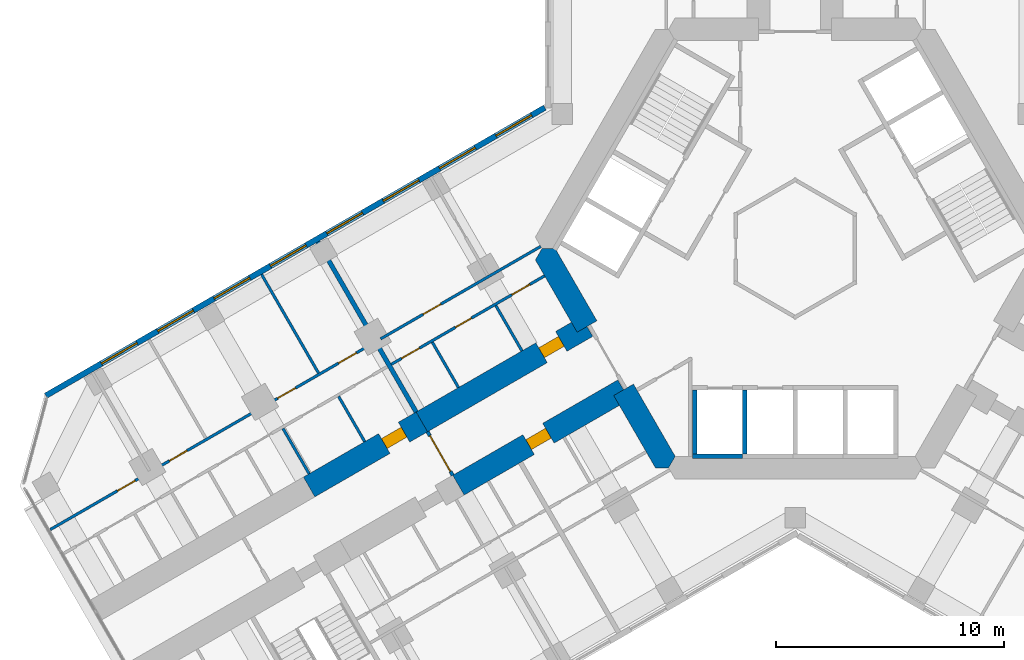
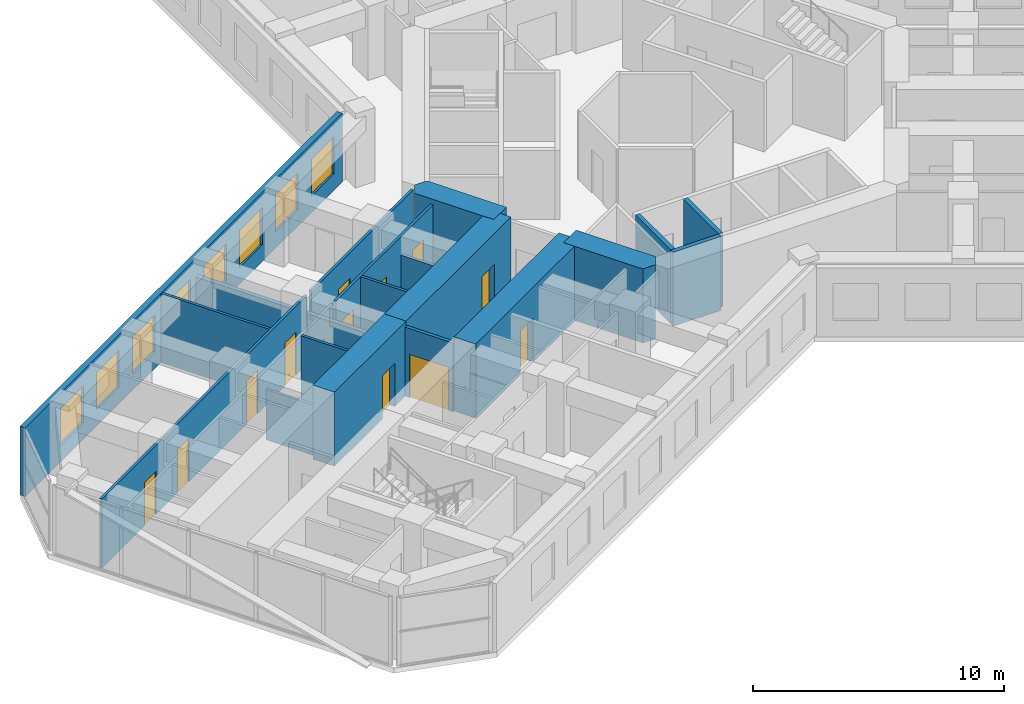
# One storey, part 12 of 21: 19 walls, 12 doors, 8 windows, 20 openings.
"""IFC4 building model written with IfcOpenShell, lengths in metres."""

from ifc_helpers import new_model, si_unit, direction, frame, frame_2d, origin, place, context, subcontext, project, spatial, polyline, rectangle, outline, extrude, material, layer, layer_set, type_object, element, fill, save


model = new_model("IFC4")

# Units and contexts
model_context = context("Model", 3, precision=1e-05, world=origin(), true_north=direction((0.0, 1.0)))
body_context = subcontext(model_context, "Body", "Model", "MODEL_VIEW")
ifc_project = project(units=[si_unit("LENGTHUNIT", "METRE"), si_unit("AREAUNIT", "SQUARE_METRE"), si_unit("VOLUMEUNIT", "CUBIC_METRE"), si_unit("PLANEANGLEUNIT", "RADIAN"), si_unit("MASSUNIT", "GRAM", prefix="KILO")], contexts=[model_context])

# Site, building, storey
site_placement = place(None, origin())
site = spatial("IfcSite", under=ifc_project, at=site_placement, CompositionType="ELEMENT")
building_placement = place(site_placement, origin())
building = spatial("IfcBuilding", under=site, at=building_placement, Name="Kosmar Iwan School Tower", CompositionType="ELEMENT")
storey_placement = place(building_placement, frame((0.0, 0.0, 102.39990234375)))
storey = spatial("IfcBuildingStorey", under=building, at=storey_placement, Name="L25", CompositionType="ELEMENT", Elevation=102.39990234375)

# Walls
ifc_material_1 = material(Name="Concrete C50/60", Category="concrete")
ifc_layer_1 = layer(ifc_material_1, 1.0)
ifc_layer_set_1 = layer_set([ifc_layer_1], Name="Core wall 1000")
wall_type_1 = type_object("IfcWallType", Name="Core wall 1000", PredefinedType="SHEAR", material=ifc_layer_set_1)
wall_1_placement = place(storey_placement, origin())
element("IfcWall", 1, at=wall_1_placement, inside=storey, type_object=wall_type_1, Name="Core wall F210a", PredefinedType="SHEAR", context=body_context, shape_type="SweptSolid", body=[
    extrude(outline(polyline([(-9.546875, -3.664306640625), (-8.680908203125, -3.164306640625), (-10.5078125, 0.0), (-11.085205078125, 0.0), (-11.373779296875, -0.5), (-9.546875, -3.664306640625)])), origin(), (0.0, 0.0, 1.0), 3.60009765625),
])
wall_2_placement = place(storey_placement, origin())
element("IfcWall", 2, at=wall_2_placement, inside=storey, type_object=wall_type_1, Name="Core wall F210b", PredefinedType="SHEAR", context=body_context, shape_type="SweptSolid", body=[
    extrude(outline(polyline([(-6.119873046875, -9.60009765625), (-5.54248046875, -9.60009765625), (-5.25390625, -9.10009765625), (-7.080810546875, -5.935546875), (-7.94677734375, -6.435546875), (-6.119873046875, -9.60009765625)])), origin(), (0.0, 0.0, 1.0), 3.60009765625),
])

# Wall, opening, door
ifc_material_2 = material(Name="Concrete C50/60", Category="concrete")
ifc_layer_2 = layer(ifc_material_2, 1.0)
ifc_layer_set_2 = layer_set([ifc_layer_2], Name="Corridor buttress wall 1000")
wall_type_2 = type_object("IfcWallType", Name="Corridor buttress wall 1000", PredefinedType="SHEAR", material=ifc_layer_set_2)
wall_3_placement = place(storey_placement, frame((-7.513916015625, -6.185546875, 0.0), z_axis=(0.0, 0.0, 1.0), x_axis=(-0.866019549707, -0.500010139422, 0.0)))
wall_3 = element("IfcWall", 3, at=wall_3_placement, inside=storey, type_object=wall_type_2, Name="Corridor wall BL", PredefinedType="SHEAR", context=body_context, shape_type="SweptSolid", body=[
    extrude(rectangle(XDim=8.349853515625, YDim=1.0, at=frame_2d((4.1748046875, 0.0))), origin(), (0.0, 0.0, 1.0), 3.60009765625),
])
opening_1_placement = place(wall_3_placement, frame((3.800048828125, 0.0, 0.0)))
opening_1 = element("IfcOpeningElement", 4, at=opening_1_placement, cuts=wall_3, Name="Opening D1", PredefinedType="OPENING", context=body_context, shape_type="SweptSolid", body=[
    extrude(rectangle(XDim=1.0, YDim=2.10009765625, at=frame_2d((0.5, 1.050048828125))), frame((0.0, 0.511962890625, 0.0), z_axis=(0.0, -1.0, 0.0), x_axis=(1.0, 0.0, 0.0)), (0.0, 0.0, 1.0), 1.02392578125),
])
ifc_material_3 = material(Name="Timber fire door in steel frame", Category="steel")
door_type_1 = type_object("IfcDoorType", Name="Flat entrance door 1000x2100", OperationType="SINGLE_SWING_LEFT", PredefinedType="DOOR", material=ifc_material_3)
door_1_placement = place(opening_1_placement, origin())
door_1 = element("IfcDoor", 5, at=door_1_placement, inside=storey, type_object=door_type_1, Name="Flat L25-BL1 entrance door", OperationType="SINGLE_SWING_LEFT", OverallHeight=2.10009765625, OverallWidth=1.0, PredefinedType="DOOR", context=body_context, shape_type="SweptSolid", body=[
    extrude(rectangle(XDim=1.0, YDim=2.10009765625, at=frame_2d((0.5, 1.050048828125))), frame((0.0, 0.25, 0.0), z_axis=(0.0, -1.0, 0.0), x_axis=(1.0, 0.0, 0.0)), (0.0, 0.0, 1.0), 0.5),
])
fill(opening_1, door_1)

wall_4_placement = place(storey_placement, frame((-9.11376953125, -3.414306640625, 0.0), z_axis=(0.0, 0.0, 1.0), x_axis=(-0.866026859388, -0.499997478812, 0.0)))
wall_4 = element("IfcWall", 6, at=wall_4_placement, inside=storey, type_object=wall_type_2, Name="Corridor wall BR", PredefinedType="SHEAR", context=body_context, shape_type="SweptSolid", body=[
    extrude(rectangle(XDim=8.35009765625, YDim=1.0, at=frame_2d((4.175048828125, 0.0))), origin(), (0.0, 0.0, 1.0), 3.60009765625),
])
opening_2_placement = place(wall_4_placement, frame((1.300048828125, 0.0, 0.0)))
opening_2 = element("IfcOpeningElement", 7, at=opening_2_placement, cuts=wall_4, Name="Opening D1", PredefinedType="OPENING", context=body_context, shape_type="SweptSolid", body=[
    extrude(rectangle(XDim=1.0, YDim=2.10009765625, at=frame_2d((0.5, 1.050048828125))), frame((0.0, 0.511962890625, 0.0), z_axis=(0.0, -1.0, 0.0), x_axis=(1.0, 0.0, 0.0)), (0.0, 0.0, 1.0), 1.02392578125),
])
door_2_placement = place(opening_2_placement, origin())
door_2 = element("IfcDoor", 8, at=door_2_placement, inside=storey, type_object=door_type_1, Name="Flat L25-BR1 entrance door", OperationType="SINGLE_SWING_LEFT", OverallHeight=2.10009765625, OverallWidth=1.0, PredefinedType="DOOR", context=body_context, shape_type="SweptSolid", body=[
    extrude(rectangle(XDim=1.0, YDim=2.10009765625, at=frame_2d((0.5, 1.050048828125))), frame((0.0, 0.25, 0.0), z_axis=(0.0, -1.0, 0.0), x_axis=(1.0, 0.0, 0.0)), (0.0, 0.0, 1.0), 0.5),
])
fill(opening_2, door_2)

wall_5_placement = place(storey_placement, frame((-16.34521484375, -7.58935546875, 0.0), z_axis=(0.0, 0.0, 1.0), x_axis=(-0.866015111908, -0.50001782563, 0.0)))
wall_5 = element("IfcWall", 9, at=wall_5_placement, inside=storey, type_object=wall_type_2, Name="Corridor wall BR bay 2", PredefinedType="SHEAR", context=body_context, shape_type="SweptSolid", body=[
    extrude(rectangle(XDim=5.699951171875, YDim=1.0, at=frame_2d((2.85009765625, 0.0))), origin(), (0.0, 0.0, 1.0), 3.60009765625),
])
opening_3_placement = place(wall_5_placement, frame((0.89990234375, 0.0, 0.0)))
opening_3 = element("IfcOpeningElement", 10, at=opening_3_placement, cuts=wall_5, Name="Opening D1", PredefinedType="OPENING", context=body_context, shape_type="SweptSolid", body=[
    extrude(rectangle(XDim=1.0, YDim=2.10009765625, at=frame_2d((0.5, 1.050048828125))), frame((0.0, 0.511962890625, 0.0), z_axis=(0.0, -1.0, 0.0), x_axis=(1.0, 0.0, 0.0)), (0.0, 0.0, 1.0), 1.02392578125),
])
door_3_placement = place(opening_3_placement, origin())
door_3 = element("IfcDoor", 11, at=door_3_placement, inside=storey, type_object=door_type_1, Name="Flat L25-BR2 entrance door", OperationType="SINGLE_SWING_LEFT", OverallHeight=2.10009765625, OverallWidth=1.0, PredefinedType="DOOR", context=body_context, shape_type="SweptSolid", body=[
    extrude(rectangle(XDim=1.0, YDim=2.10009765625, at=frame_2d((0.5, 1.050048828125))), frame((0.0, 0.25, 0.0), z_axis=(0.0, -1.0, 0.0), x_axis=(1.0, 0.0, 0.0)), (0.0, 0.0, 1.0), 0.5),
])
fill(opening_3, door_3)

ifc_material_4 = material(Name="Gypsum board on steel studs, fire-rated", Category="steel")
ifc_layer_3 = layer(ifc_material_4, 0.14990234375)
ifc_layer_set_3 = layer_set([ifc_layer_3], Name="Corridor end wall 150")
wall_type_3 = type_object("IfcWallType", Name="Corridor end wall 150", PredefinedType="PARTITIONING", material=ifc_layer_set_3)
wall_6_placement = place(storey_placement, frame((-16.09521484375, -8.0224609375, 0.0), z_axis=(0.0, 0.0, 1.0), x_axis=(0.50002983664, -0.866008176907, 0.0)))
wall_6 = element("IfcWall", 12, at=wall_6_placement, inside=storey, type_object=wall_type_3, Name="Partition L25-B-HW", PredefinedType="PARTITIONING", context=body_context, shape_type="SweptSolid", body=[
    extrude(rectangle(XDim=2.199951171875, YDim=0.14990234375, at=frame_2d((1.10009765625, 0.0))), origin(), (0.0, 0.0, 1.0), 3.35009765625),
])
opening_4_placement = place(wall_6_placement, frame((0.199951171875, 0.0, 0.0)))
opening_4 = element("IfcOpeningElement", 13, at=opening_4_placement, cuts=wall_6, Name="Opening D9", PredefinedType="OPENING", context=body_context, shape_type="SweptSolid", body=[
    extrude(rectangle(XDim=1.800048828125, YDim=2.10009765625, at=frame_2d((0.89990234375, 1.050048828125))), frame((0.0, 0.0869140625, 0.0), z_axis=(0.0, -1.0, 0.0), x_axis=(1.0, 0.0, 0.0)), (0.0, 0.0, 1.0), 0.173828125),
])
ifc_material_5 = material(Name="Steel framed glazed smoke door", Category="steel")
door_type_2 = type_object("IfcDoorType", Name="Corridor smoke door pair 1800x2100", OperationType="DOUBLE_DOOR_DOUBLE_SWING", PredefinedType="DOOR", material=ifc_material_5)
door_4_placement = place(opening_4_placement, origin())
door_4 = element("IfcDoor", 14, at=door_4_placement, inside=storey, type_object=door_type_2, Name="Entrance vestibule smoke doors L25-B", OperationType="DOUBLE_DOOR_DOUBLE_SWING", OverallHeight=2.10009765625, OverallWidth=1.800048828125, PredefinedType="DOOR", context=body_context, shape_type="SweptSolid", body=[
    extrude(rectangle(XDim=1.800048828125, YDim=2.10009765625, at=frame_2d((0.89990234375, 1.050048828125))), frame((0.0, 0.02490234375, 0.0), z_axis=(0.0, -1.0, 0.0), x_axis=(1.0, 0.0, 0.0)), (0.0, 0.0, 1.0), 0.050048828125),
])
fill(opening_4, door_4)

# Wall, openings, doors
ifc_material_6 = material(Name="Gypsum board on steel studs", Category="steel")
ifc_layer_4 = layer(ifc_material_6, 0.1201171875)
ifc_layer_set_4 = layer_set([ifc_layer_4], Name="Dwelling partition 120")
wall_type_4 = type_object("IfcWallType", Name="Dwelling partition 120", PredefinedType="PARTITIONING", material=ifc_layer_set_4)
wall_7_placement = place(storey_placement, frame((-10.971923828125, -1.1962890625, 0.0), z_axis=(0.0, 0.0, 1.0), x_axis=(-0.866024534185, -0.500001506187, 0.0)))
wall_7 = element("IfcWall", 15, at=wall_7_placement, inside=storey, type_object=wall_type_4, Name="Partition L25-BR1-W1", PredefinedType="PARTITIONING", context=body_context, shape_type="SweptSolid", body=[
    extrude(rectangle(XDim=7.75, YDim=0.1201171875, at=frame_2d((3.875, 0.0))), origin(), (0.0, 0.0, 1.0), 3.35009765625),
])
opening_5_placement = place(wall_7_placement, frame((0.75, 0.0, 0.0)))
opening_5 = element("IfcOpeningElement", 16, at=opening_5_placement, cuts=wall_7, Name="Opening D2", PredefinedType="OPENING", context=body_context, shape_type="SweptSolid", body=[
    extrude(rectangle(XDim=0.89990234375, YDim=2.10009765625, at=frame_2d((0.449951171875, 1.050048828125))), frame((0.0, 0.072021484375, 0.0), z_axis=(0.0, -1.0, 0.0), x_axis=(1.0, 0.0, 0.0)), (0.0, 0.0, 1.0), 0.14404296875),
])
opening_6_placement = place(wall_7_placement, frame((3.705078125, 0.0, 0.0)))
opening_6 = element("IfcOpeningElement", 17, at=opening_6_placement, cuts=wall_7, Name="Opening D3", PredefinedType="OPENING", context=body_context, shape_type="SweptSolid", body=[
    extrude(rectangle(XDim=0.800048828125, YDim=2.10009765625, at=frame_2d((0.39990234375, 1.050048828125))), frame((0.0, 0.072021484375, 0.0), z_axis=(0.0, -1.0, 0.0), x_axis=(1.0, 0.0, 0.0)), (0.0, 0.0, 1.0), 0.14404296875),
])
opening_7_placement = place(wall_7_placement, frame((6.330078125, 0.0, 0.0)))
opening_7 = element("IfcOpeningElement", 18, at=opening_7_placement, cuts=wall_7, Name="Opening D2", PredefinedType="OPENING", context=body_context, shape_type="SweptSolid", body=[
    extrude(rectangle(XDim=0.89990234375, YDim=2.10009765625, at=frame_2d((0.449951171875, 1.050048828125))), frame((0.0, 0.072021484375, 0.0), z_axis=(0.0, -1.0, 0.0), x_axis=(1.0, 0.0, 0.0)), (0.0, 0.0, 1.0), 0.14404296875),
])
ifc_material_7 = material(Name="Timber door in timber frame", Category="wood")
door_type_3 = type_object("IfcDoorType", Name="Internal door 900x2100", OperationType="SINGLE_SWING_LEFT", PredefinedType="DOOR", material=ifc_material_7)
door_5_placement = place(opening_5_placement, origin())
door_5 = element("IfcDoor", 19, at=door_5_placement, inside=storey, type_object=door_type_3, Name="Entrance hall door L25-BR1-S1", OperationType="SINGLE_SWING_LEFT", OverallHeight=2.10009765625, OverallWidth=0.89990234375, PredefinedType="DOOR", context=body_context, shape_type="SweptSolid", body=[
    extrude(rectangle(XDim=0.89990234375, YDim=2.10009765625, at=frame_2d((0.449951171875, 1.050048828125))), frame((0.0, 0.02490234375, 0.0), z_axis=(0.0, -1.0, 0.0), x_axis=(1.0, 0.0, 0.0)), (0.0, 0.0, 1.0), 0.050048828125),
])
fill(opening_5, door_5)
door_6_placement = place(opening_7_placement, origin())
door_6 = element("IfcDoor", 20, at=door_6_placement, inside=storey, type_object=door_type_3, Name="Pantry door L25-BR1-S3", OperationType="SINGLE_SWING_RIGHT", OverallHeight=2.10009765625, OverallWidth=0.89990234375, PredefinedType="DOOR", context=body_context, shape_type="SweptSolid", body=[
    extrude(rectangle(XDim=0.89990234375, YDim=2.10009765625, at=frame_2d((0.449951171875, 1.050048828125))), frame((0.0, 0.02490234375, 0.0), z_axis=(0.0, -1.0, 0.0), x_axis=(1.0, 0.0, 0.0)), (0.0, 0.0, 1.0), 0.050048828125),
])
fill(opening_7, door_6)
ifc_material_8 = material(Name="Timber door in timber frame", Category="wood")
door_type_4 = type_object("IfcDoorType", Name="Sanitary room door 800x2100", OperationType="SINGLE_SWING_LEFT", PredefinedType="DOOR", material=ifc_material_8)
door_7_placement = place(opening_6_placement, origin())
door_7 = element("IfcDoor", 21, at=door_7_placement, inside=storey, type_object=door_type_4, Name="Bathroom door L25-BR1-S2", OperationType="SINGLE_SWING_RIGHT", OverallHeight=2.10009765625, OverallWidth=0.800048828125, PredefinedType="DOOR", context=body_context, shape_type="SweptSolid", body=[
    extrude(rectangle(XDim=0.800048828125, YDim=2.10009765625, at=frame_2d((0.39990234375, 1.050048828125))), frame((0.0, 0.02490234375, 0.0), z_axis=(0.0, -1.0, 0.0), x_axis=(1.0, 0.0, 0.0)), (0.0, 0.0, 1.0), 0.050048828125),
])
fill(opening_6, door_7)

# Wall, opening, door
wall_8_placement = place(storey_placement, frame((-11.138916015625, 0.093017578125, 0.0), z_axis=(0.0, 0.0, 1.0), x_axis=(-0.866017937352, -0.500012932018, 0.0)))
wall_8 = element("IfcWall", 22, at=wall_8_placement, inside=storey, type_object=wall_type_4, Name="Partition L25-BR1-W2", PredefinedType="PARTITIONING", context=body_context, shape_type="SweptSolid", body=[
    extrude(rectangle(XDim=8.099853515625, YDim=0.1201171875, at=frame_2d((4.0498046875, 0.0))), origin(), (0.0, 0.0, 1.0), 3.35009765625),
])
opening_8_placement = place(wall_8_placement, frame((5.050048828125, 0.0, 0.0)))
opening_8 = element("IfcOpeningElement", 23, at=opening_8_placement, cuts=wall_8, Name="Opening D2", PredefinedType="OPENING", context=body_context, shape_type="SweptSolid", body=[
    extrude(rectangle(XDim=0.89990234375, YDim=2.10009765625, at=frame_2d((0.449951171875, 1.050048828125))), frame((0.0, 0.072021484375, 0.0), z_axis=(0.0, -1.0, 0.0), x_axis=(1.0, 0.0, 0.0)), (0.0, 0.0, 1.0), 0.14404296875),
])
door_8_placement = place(opening_8_placement, origin())
door_8 = element("IfcDoor", 24, at=door_8_placement, inside=storey, type_object=door_type_3, Name="Studio living room door L25-BR1-F2", OperationType="SINGLE_SWING_RIGHT", OverallHeight=2.10009765625, OverallWidth=0.89990234375, PredefinedType="DOOR", context=body_context, shape_type="SweptSolid", body=[
    extrude(rectangle(XDim=0.89990234375, YDim=2.10009765625, at=frame_2d((0.449951171875, 1.050048828125))), frame((0.0, 0.02490234375, 0.0), z_axis=(0.0, -1.0, 0.0), x_axis=(1.0, 0.0, 0.0)), (0.0, 0.0, 1.0), 0.050048828125),
])
fill(opening_8, door_8)

# Walls
wall_9_placement = place(storey_placement, frame((-11.9619140625, -4.4814453125, 0.0), z_axis=(0.0, 0.0, 1.0), x_axis=(-0.499968531483, 0.866043571379, 0.0)))
element("IfcWall", 25, at=wall_9_placement, inside=storey, type_object=wall_type_4, Name="Partition L25-BR1-Y1", PredefinedType="PARTITIONING", context=body_context, shape_type="SweptSolid", body=[
    extrude(rectangle(XDim=2.290283203125, YDim=0.1201171875, at=frame_2d((1.14501953125, 0.0))), origin(), (0.0, 0.0, 1.0), 2.4501953125),
])
wall_10_placement = place(storey_placement, frame((-14.741943359375, -6.08642578125, 0.0), z_axis=(0.0, 0.0, 1.0), x_axis=(-0.499968531483, 0.866043571379, 0.0)))
element("IfcWall", 26, at=wall_10_placement, inside=storey, type_object=wall_type_4, Name="Partition L25-BR1-Y2", PredefinedType="PARTITIONING", context=body_context, shape_type="SweptSolid", body=[
    extrude(rectangle(XDim=2.290283203125, YDim=0.1201171875, at=frame_2d((1.14501953125, 0.0))), origin(), (0.0, 0.0, 1.0), 3.35009765625),
])

# Wall, openings, doors
wall_11_placement = place(storey_placement, frame((-18.456787109375, -4.1318359375, 0.0), z_axis=(0.0, 0.0, 1.0), x_axis=(-0.866023907196, -0.500002592159, 0.0)))
wall_11 = element("IfcWall", 27, at=wall_11_placement, inside=storey, type_object=wall_type_4, Name="Partition L25-BR2-W2", PredefinedType="PARTITIONING", context=body_context, shape_type="SweptSolid", body=[
    extrude(rectangle(XDim=16.34521484375, YDim=0.1201171875, at=frame_2d((8.172607421875, 0.0))), origin(), (0.0, 0.0, 1.0), 3.35009765625),
])
opening_9_placement = place(wall_11_placement, frame((0.875, 0.0, 0.0)))
opening_9 = element("IfcOpeningElement", 28, at=opening_9_placement, cuts=wall_11, Name="Opening D2", PredefinedType="OPENING", context=body_context, shape_type="SweptSolid", body=[
    extrude(rectangle(XDim=0.89990234375, YDim=2.10009765625, at=frame_2d((0.449951171875, 1.050048828125))), frame((0.0, 0.072021484375, 0.0), z_axis=(0.0, -1.0, 0.0), x_axis=(1.0, 0.0, 0.0)), (0.0, 0.0, 1.0), 0.14404296875),
])
opening_10_placement = place(wall_11_placement, frame((3.949951171875, 0.0, 0.0)))
opening_10 = element("IfcOpeningElement", 29, at=opening_10_placement, cuts=wall_11, Name="Opening D2", PredefinedType="OPENING", context=body_context, shape_type="SweptSolid", body=[
    extrude(rectangle(XDim=0.89990234375, YDim=2.10009765625, at=frame_2d((0.449951171875, 1.050048828125))), frame((0.0, 0.072021484375, 0.0), z_axis=(0.0, -1.0, 0.0), x_axis=(1.0, 0.0, 0.0)), (0.0, 0.0, 1.0), 0.14404296875),
])
opening_11_placement = place(wall_11_placement, frame((9.425048828125, 0.0, 0.0)))
opening_11 = element("IfcOpeningElement", 30, at=opening_11_placement, cuts=wall_11, Name="Opening D2", PredefinedType="OPENING", context=body_context, shape_type="SweptSolid", body=[
    extrude(rectangle(XDim=0.89990234375, YDim=2.10009765625, at=frame_2d((0.449951171875, 1.050048828125))), frame((0.0, 0.072021484375, 0.0), z_axis=(0.0, -1.0, 0.0), x_axis=(1.0, 0.0, 0.0)), (0.0, 0.0, 1.0), 0.14404296875),
])
opening_12_placement = place(wall_11_placement, frame((12.050048828125, 0.0, 0.0)))
opening_12 = element("IfcOpeningElement", 31, at=opening_12_placement, cuts=wall_11, Name="Opening D2", PredefinedType="OPENING", context=body_context, shape_type="SweptSolid", body=[
    extrude(rectangle(XDim=0.89990234375, YDim=2.10009765625, at=frame_2d((0.449951171875, 1.050048828125))), frame((0.0, 0.072021484375, 0.0), z_axis=(0.0, -1.0, 0.0), x_axis=(1.0, 0.0, 0.0)), (0.0, 0.0, 1.0), 0.14404296875),
])
door_9_placement = place(opening_9_placement, origin())
door_9 = element("IfcDoor", 32, at=door_9_placement, inside=storey, type_object=door_type_3, Name="Bedroom 1 door L25-BR2-F1", OperationType="SINGLE_SWING_LEFT", OverallHeight=2.10009765625, OverallWidth=0.89990234375, PredefinedType="DOOR", context=body_context, shape_type="SweptSolid", body=[
    extrude(rectangle(XDim=0.89990234375, YDim=2.10009765625, at=frame_2d((0.449951171875, 1.050048828125))), frame((0.0, 0.02490234375, 0.0), z_axis=(0.0, -1.0, 0.0), x_axis=(1.0, 0.0, 0.0)), (0.0, 0.0, 1.0), 0.050048828125),
])
fill(opening_9, door_9)
door_10_placement = place(opening_10_placement, origin())
door_10 = element("IfcDoor", 33, at=door_10_placement, inside=storey, type_object=door_type_3, Name="Living room and kitchen door L25-BR2-F2", OperationType="SINGLE_SWING_LEFT", OverallHeight=2.10009765625, OverallWidth=0.89990234375, PredefinedType="DOOR", context=body_context, shape_type="SweptSolid", body=[
    extrude(rectangle(XDim=0.89990234375, YDim=2.10009765625, at=frame_2d((0.449951171875, 1.050048828125))), frame((0.0, 0.02490234375, 0.0), z_axis=(0.0, -1.0, 0.0), x_axis=(1.0, 0.0, 0.0)), (0.0, 0.0, 1.0), 0.050048828125),
])
fill(opening_10, door_10)
door_11_placement = place(opening_11_placement, origin())
door_11 = element("IfcDoor", 34, at=door_11_placement, inside=storey, type_object=door_type_3, Name="Bedroom 2 door L25-BR2-F3", OperationType="SINGLE_SWING_RIGHT", OverallHeight=2.10009765625, OverallWidth=0.89990234375, PredefinedType="DOOR", context=body_context, shape_type="SweptSolid", body=[
    extrude(rectangle(XDim=0.89990234375, YDim=2.10009765625, at=frame_2d((0.449951171875, 1.050048828125))), frame((0.0, 0.02490234375, 0.0), z_axis=(0.0, -1.0, 0.0), x_axis=(1.0, 0.0, 0.0)), (0.0, 0.0, 1.0), 0.050048828125),
])
fill(opening_11, door_11)
door_12_placement = place(opening_12_placement, origin())
door_12 = element("IfcDoor", 35, at=door_12_placement, inside=storey, type_object=door_type_3, Name="Bedroom 3 door L25-BR2-F4", OperationType="SINGLE_SWING_RIGHT", OverallHeight=2.10009765625, OverallWidth=0.89990234375, PredefinedType="DOOR", context=body_context, shape_type="SweptSolid", body=[
    extrude(rectangle(XDim=0.89990234375, YDim=2.10009765625, at=frame_2d((0.449951171875, 1.050048828125))), frame((0.0, 0.02490234375, 0.0), z_axis=(0.0, -1.0, 0.0), x_axis=(1.0, 0.0, 0.0)), (0.0, 0.0, 1.0), 0.050048828125),
])
fill(opening_12, door_12)

# Walls
wall_12_placement = place(storey_placement, frame((-20.868408203125, -5.455078125, 0.0), z_axis=(0.0, 0.0, 1.0), x_axis=(-0.499975153383, 0.86603974851, 0.0)))
element("IfcWall", 36, at=wall_12_placement, inside=storey, type_object=wall_type_4, Name="Partition L25-BR2-X1", PredefinedType="PARTITIONING", context=body_context, shape_type="SweptSolid", body=[
    extrude(rectangle(XDim=4.989990234375, YDim=0.1201171875, at=frame_2d((2.4951171875, 0.0))), origin(), (0.0, 0.0, 1.0), 3.35009765625),
])
wall_13_placement = place(storey_placement, frame((-18.846923828125, -8.456298828125, 0.0), z_axis=(0.0, 0.0, 1.0), x_axis=(-0.500014693593, 0.866016920268, 0.0)))
element("IfcWall", 37, at=wall_13_placement, inside=storey, type_object=wall_type_4, Name="Partition L25-BR2-Y1", PredefinedType="PARTITIONING", context=body_context, shape_type="SweptSolid", body=[
    extrude(rectangle(XDim=2.2900390625, YDim=0.1201171875, at=frame_2d((1.14501953125, 0.0))), origin(), (0.0, 0.0, 1.0), 3.35009765625),
])
wall_14_placement = place(storey_placement, frame((-21.2802734375, -9.861328125, 0.0), z_axis=(0.0, 0.0, 1.0), x_axis=(-0.500014693593, 0.866016920268, 0.0)))
element("IfcWall", 38, at=wall_14_placement, inside=storey, type_object=wall_type_4, Name="Partition L25-BR2-Y2", PredefinedType="PARTITIONING", context=body_context, shape_type="SweptSolid", body=[
    extrude(rectangle(XDim=2.2900390625, YDim=0.1201171875, at=frame_2d((1.14501953125, 0.0))), origin(), (0.0, 0.0, 1.0), 2.4501953125),
])

# Wall, openings, windows
ifc_material_9 = material(Name="Black aluminium rainscreen on insulated framing", Category="aluminium")
ifc_layer_5 = layer(ifc_material_9, 0.25)
ifc_layer_set_5 = layer_set([ifc_layer_5], Name="External wall rainscreen 250")
wall_type_5 = type_object("IfcWallType", Name="External wall rainscreen 250", PredefinedType="SOLIDWALL", material=ifc_layer_set_5)
wall_15_placement = place(storey_placement, frame((-10.962890625, 6.170166015625, 0.0), z_axis=(0.0, 0.0, 1.0), x_axis=(-0.86602796634, -0.499995561497, 0.0)))
wall_15 = element("IfcWall", 39, at=wall_15_placement, inside=storey, type_object=wall_type_5, Name="External wall BR L25", PredefinedType="SOLIDWALL", context=body_context, shape_type="SweptSolid", body=[
    extrude(rectangle(XDim=25.226318359375, YDim=0.25, at=frame_2d((12.61328125, 0.0))), origin(), (0.0, 0.0, 1.0), 3.35009765625),
])
opening_13_placement = place(wall_15_placement, frame((0.666015625, 0.0, 0.800048828125)))
opening_13 = element("IfcOpeningElement", 40, at=opening_13_placement, cuts=wall_15, Name="Opening W1", PredefinedType="OPENING", context=body_context, shape_type="SweptSolid", body=[
    extrude(rectangle(XDim=1.800048828125, YDim=1.800048828125, at=frame_2d((0.89990234375, 0.89990234375))), frame((0.0, 0.136962890625, 0.0), z_axis=(0.0, -1.0, 0.0), x_axis=(1.0, 0.0, 0.0)), (0.0, 0.0, 1.0), 0.27392578125),
])
opening_14_placement = place(wall_15_placement, frame((3.51611328125, 0.0, 0.800048828125)))
opening_14 = element("IfcOpeningElement", 41, at=opening_14_placement, cuts=wall_15, Name="Opening W1", PredefinedType="OPENING", context=body_context, shape_type="SweptSolid", body=[
    extrude(rectangle(XDim=1.800048828125, YDim=1.800048828125, at=frame_2d((0.89990234375, 0.89990234375))), frame((0.0, 0.136962890625, 0.0), z_axis=(0.0, -1.0, 0.0), x_axis=(1.0, 0.0, 0.0)), (0.0, 0.0, 1.0), 0.27392578125),
])
opening_15_placement = place(wall_15_placement, frame((6.365966796875, 0.0, 0.800048828125)))
opening_15 = element("IfcOpeningElement", 42, at=opening_15_placement, cuts=wall_15, Name="Opening W1", PredefinedType="OPENING", context=body_context, shape_type="SweptSolid", body=[
    extrude(rectangle(XDim=1.800048828125, YDim=1.800048828125, at=frame_2d((0.89990234375, 0.89990234375))), frame((0.0, 0.136962890625, 0.0), z_axis=(0.0, -1.0, 0.0), x_axis=(1.0, 0.0, 0.0)), (0.0, 0.0, 1.0), 0.27392578125),
])
opening_16_placement = place(wall_15_placement, frame((9.216064453125, 0.0, 0.800048828125)))
opening_16 = element("IfcOpeningElement", 43, at=opening_16_placement, cuts=wall_15, Name="Opening W1", PredefinedType="OPENING", context=body_context, shape_type="SweptSolid", body=[
    extrude(rectangle(XDim=1.800048828125, YDim=1.800048828125, at=frame_2d((0.89990234375, 0.89990234375))), frame((0.0, 0.136962890625, 0.0), z_axis=(0.0, -1.0, 0.0), x_axis=(1.0, 0.0, 0.0)), (0.0, 0.0, 1.0), 0.27392578125),
])
opening_17_placement = place(wall_15_placement, frame((12.06591796875, 0.0, 0.800048828125)))
opening_17 = element("IfcOpeningElement", 44, at=opening_17_placement, cuts=wall_15, Name="Opening W1", PredefinedType="OPENING", context=body_context, shape_type="SweptSolid", body=[
    extrude(rectangle(XDim=1.800048828125, YDim=1.800048828125, at=frame_2d((0.89990234375, 0.89990234375))), frame((0.0, 0.136962890625, 0.0), z_axis=(0.0, -1.0, 0.0), x_axis=(1.0, 0.0, 0.0)), (0.0, 0.0, 1.0), 0.27392578125),
])
opening_18_placement = place(wall_15_placement, frame((14.916015625, 0.0, 0.800048828125)))
opening_18 = element("IfcOpeningElement", 45, at=opening_18_placement, cuts=wall_15, Name="Opening W1", PredefinedType="OPENING", context=body_context, shape_type="SweptSolid", body=[
    extrude(rectangle(XDim=1.800048828125, YDim=1.800048828125, at=frame_2d((0.89990234375, 0.89990234375))), frame((0.0, 0.136962890625, 0.0), z_axis=(0.0, -1.0, 0.0), x_axis=(1.0, 0.0, 0.0)), (0.0, 0.0, 1.0), 0.27392578125),
])
opening_19_placement = place(wall_15_placement, frame((17.76611328125, 0.0, 0.800048828125)))
opening_19 = element("IfcOpeningElement", 46, at=opening_19_placement, cuts=wall_15, Name="Opening W1", PredefinedType="OPENING", context=body_context, shape_type="SweptSolid", body=[
    extrude(rectangle(XDim=1.800048828125, YDim=1.800048828125, at=frame_2d((0.89990234375, 0.89990234375))), frame((0.0, 0.136962890625, 0.0), z_axis=(0.0, -1.0, 0.0), x_axis=(1.0, 0.0, 0.0)), (0.0, 0.0, 1.0), 0.27392578125),
])
opening_20_placement = place(wall_15_placement, frame((20.615966796875, 0.0, 0.800048828125)))
opening_20 = element("IfcOpeningElement", 47, at=opening_20_placement, cuts=wall_15, Name="Opening W1", PredefinedType="OPENING", context=body_context, shape_type="SweptSolid", body=[
    extrude(rectangle(XDim=1.800048828125, YDim=1.800048828125, at=frame_2d((0.89990234375, 0.89990234375))), frame((0.0, 0.136962890625, 0.0), z_axis=(0.0, -1.0, 0.0), x_axis=(1.0, 0.0, 0.0)), (0.0, 0.0, 1.0), 0.27392578125),
])
ifc_material_10 = material(Name="Black aluminium frame with dark triple glazing", Category="aluminium")
window_type = type_object("IfcWindowType", Name="Window 1800x1800", PartitioningType="SINGLE_PANEL", PredefinedType="WINDOW", material=ifc_material_10)
window_1_placement = place(opening_13_placement, origin())
window_1 = element("IfcWindow", 48, at=window_1_placement, inside=storey, type_object=window_type, Name="Window BR L25 -1", OverallHeight=1.800048828125, OverallWidth=1.800048828125, PartitioningType="SINGLE_PANEL", PredefinedType="WINDOW", context=body_context, shape_type="SweptSolid", body=[
    extrude(rectangle(XDim=1.800048828125, YDim=1.800048828125, at=frame_2d((0.89990234375, 0.89990234375))), frame((0.0, 0.030029296875, 0.0), z_axis=(0.0, -1.0, 0.0), x_axis=(1.0, 0.0, 0.0)), (0.0, 0.0, 1.0), 0.06005859375),
])
fill(opening_13, window_1)
window_2_placement = place(opening_14_placement, origin())
window_2 = element("IfcWindow", 49, at=window_2_placement, inside=storey, type_object=window_type, Name="Window BR L25 0", OverallHeight=1.800048828125, OverallWidth=1.800048828125, PartitioningType="SINGLE_PANEL", PredefinedType="WINDOW", context=body_context, shape_type="SweptSolid", body=[
    extrude(rectangle(XDim=1.800048828125, YDim=1.800048828125, at=frame_2d((0.89990234375, 0.89990234375))), frame((0.0, 0.030029296875, 0.0), z_axis=(0.0, -1.0, 0.0), x_axis=(1.0, 0.0, 0.0)), (0.0, 0.0, 1.0), 0.06005859375),
])
fill(opening_14, window_2)
window_3_placement = place(opening_15_placement, origin())
window_3 = element("IfcWindow", 50, at=window_3_placement, inside=storey, type_object=window_type, Name="Window BR L25 1", OverallHeight=1.800048828125, OverallWidth=1.800048828125, PartitioningType="SINGLE_PANEL", PredefinedType="WINDOW", context=body_context, shape_type="SweptSolid", body=[
    extrude(rectangle(XDim=1.800048828125, YDim=1.800048828125, at=frame_2d((0.89990234375, 0.89990234375))), frame((0.0, 0.030029296875, 0.0), z_axis=(0.0, -1.0, 0.0), x_axis=(1.0, 0.0, 0.0)), (0.0, 0.0, 1.0), 0.06005859375),
])
fill(opening_15, window_3)
window_4_placement = place(opening_16_placement, origin())
window_4 = element("IfcWindow", 51, at=window_4_placement, inside=storey, type_object=window_type, Name="Window BR L25 2", OverallHeight=1.800048828125, OverallWidth=1.800048828125, PartitioningType="SINGLE_PANEL", PredefinedType="WINDOW", context=body_context, shape_type="SweptSolid", body=[
    extrude(rectangle(XDim=1.800048828125, YDim=1.800048828125, at=frame_2d((0.89990234375, 0.89990234375))), frame((0.0, 0.030029296875, 0.0), z_axis=(0.0, -1.0, 0.0), x_axis=(1.0, 0.0, 0.0)), (0.0, 0.0, 1.0), 0.06005859375),
])
fill(opening_16, window_4)
window_5_placement = place(opening_17_placement, origin())
window_5 = element("IfcWindow", 52, at=window_5_placement, inside=storey, type_object=window_type, Name="Window BR L25 3", OverallHeight=1.800048828125, OverallWidth=1.800048828125, PartitioningType="SINGLE_PANEL", PredefinedType="WINDOW", context=body_context, shape_type="SweptSolid", body=[
    extrude(rectangle(XDim=1.800048828125, YDim=1.800048828125, at=frame_2d((0.89990234375, 0.89990234375))), frame((0.0, 0.030029296875, 0.0), z_axis=(0.0, -1.0, 0.0), x_axis=(1.0, 0.0, 0.0)), (0.0, 0.0, 1.0), 0.06005859375),
])
fill(opening_17, window_5)
window_6_placement = place(opening_18_placement, origin())
window_6 = element("IfcWindow", 53, at=window_6_placement, inside=storey, type_object=window_type, Name="Window BR L25 4", OverallHeight=1.800048828125, OverallWidth=1.800048828125, PartitioningType="SINGLE_PANEL", PredefinedType="WINDOW", context=body_context, shape_type="SweptSolid", body=[
    extrude(rectangle(XDim=1.800048828125, YDim=1.800048828125, at=frame_2d((0.89990234375, 0.89990234375))), frame((0.0, 0.030029296875, 0.0), z_axis=(0.0, -1.0, 0.0), x_axis=(1.0, 0.0, 0.0)), (0.0, 0.0, 1.0), 0.06005859375),
])
fill(opening_18, window_6)
window_7_placement = place(opening_19_placement, origin())
window_7 = element("IfcWindow", 54, at=window_7_placement, inside=storey, type_object=window_type, Name="Window BR L25 5", OverallHeight=1.800048828125, OverallWidth=1.800048828125, PartitioningType="SINGLE_PANEL", PredefinedType="WINDOW", context=body_context, shape_type="SweptSolid", body=[
    extrude(rectangle(XDim=1.800048828125, YDim=1.800048828125, at=frame_2d((0.89990234375, 0.89990234375))), frame((0.0, 0.030029296875, 0.0), z_axis=(0.0, -1.0, 0.0), x_axis=(1.0, 0.0, 0.0)), (0.0, 0.0, 1.0), 0.06005859375),
])
fill(opening_19, window_7)
window_8_placement = place(opening_20_placement, origin())
window_8 = element("IfcWindow", 55, at=window_8_placement, inside=storey, type_object=window_type, Name="Window BR L25 6", OverallHeight=1.800048828125, OverallWidth=1.800048828125, PartitioningType="SINGLE_PANEL", PredefinedType="WINDOW", context=body_context, shape_type="SweptSolid", body=[
    extrude(rectangle(XDim=1.800048828125, YDim=1.800048828125, at=frame_2d((0.89990234375, 0.89990234375))), frame((0.0, 0.030029296875, 0.0), z_axis=(0.0, -1.0, 0.0), x_axis=(1.0, 0.0, 0.0)), (0.0, 0.0, 1.0), 0.06005859375),
])
fill(opening_20, window_8)

# Walls
ifc_material_11 = material(Name="Concrete C50/60", Category="concrete")
ifc_layer_6 = layer(ifc_material_11, 0.199951171875)
ifc_layer_set_6 = layer_set([ifc_layer_6], Name="Lift shaft wall 200")
wall_type_6 = type_object("IfcWallType", Name="Lift shaft wall 200", PredefinedType="SHEAR", material=ifc_layer_set_6)
wall_16_placement = place(storey_placement, frame((-4.5, -9.10009765625, 0.0), z_axis=(0.0, 0.0, 1.0), x_axis=(1.0, 0.0, 0.0)))
element("IfcWall", 56, at=wall_16_placement, inside=storey, type_object=wall_type_6, Name="Lift and stair back wall BC", PredefinedType="SHEAR", context=body_context, shape_type="SweptSolid", body=[
    extrude(rectangle(XDim=2.199951171875, YDim=0.199951171875, at=frame_2d((1.10009765625, 0.0))), origin(), (0.0, 0.0, 1.0), 3.60009765625),
])
for number, where, z_axis, x_axis, name in (
    (57, (-4.39990234375, -6.199951171875, 0.0), (0.0, 0.0, 1.0), (0.0, -1.0, 0.0), "Lift shaft wall BC 0"),
    (58, (-2.199951171875, -6.199951171875, 0.0), (0.0, 0.0, 1.0), (0.0, -1.0, 0.0), "Lift shaft wall BC 1"),
):
    element("IfcWall", number, at=place(storey_placement, frame(where, z_axis=z_axis, x_axis=x_axis)), inside=storey, type_object=wall_type_6, Name=name, PredefinedType="SHEAR", context=body_context, shape_type="SweptSolid", body=[
        extrude(rectangle(XDim=2.800048828125, YDim=0.199951171875, at=frame_2d((1.39990234375, 0.0))), origin(), (0.0, 0.0, 1.0), 3.60009765625),
    ])
ifc_material_12 = material(Name="Concrete block masonry", Category="masonry")
ifc_layer_7 = layer(ifc_material_12, 0.199951171875)
ifc_layer_set_7 = layer_set([ifc_layer_7], Name="Party wall 200")
wall_type_7 = type_object("IfcWallType", Name="Party wall 200", PredefinedType="PARTITIONING", material=ifc_layer_set_7)
wall_17_placement = place(storey_placement, frame((-16.59521484375, -7.15625, 0.0), z_axis=(0.0, 0.0, 1.0), x_axis=(-0.500007509209, 0.866021068297, 0.0)))
element("IfcWall", 59, at=wall_17_placement, inside=storey, type_object=wall_type_7, Name="Partition L25-BR2-PW", PredefinedType="PARTITIONING", context=body_context, shape_type="SweptSolid", body=[
    extrude(rectangle(XDim=8.599853515625, YDim=0.199951171875, at=frame_2d((4.2998046875, 0.0))), origin(), (0.0, 0.0, 1.0), 2.4501953125),
])

save(model, "model.ifc")
